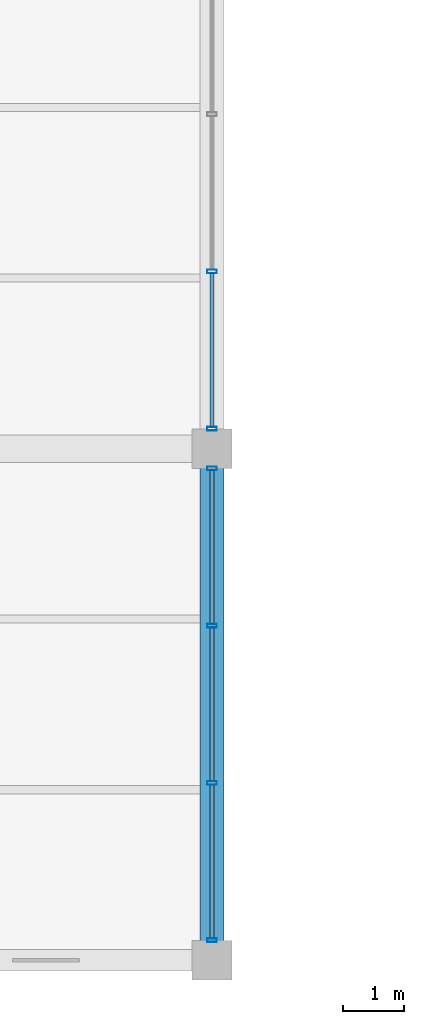
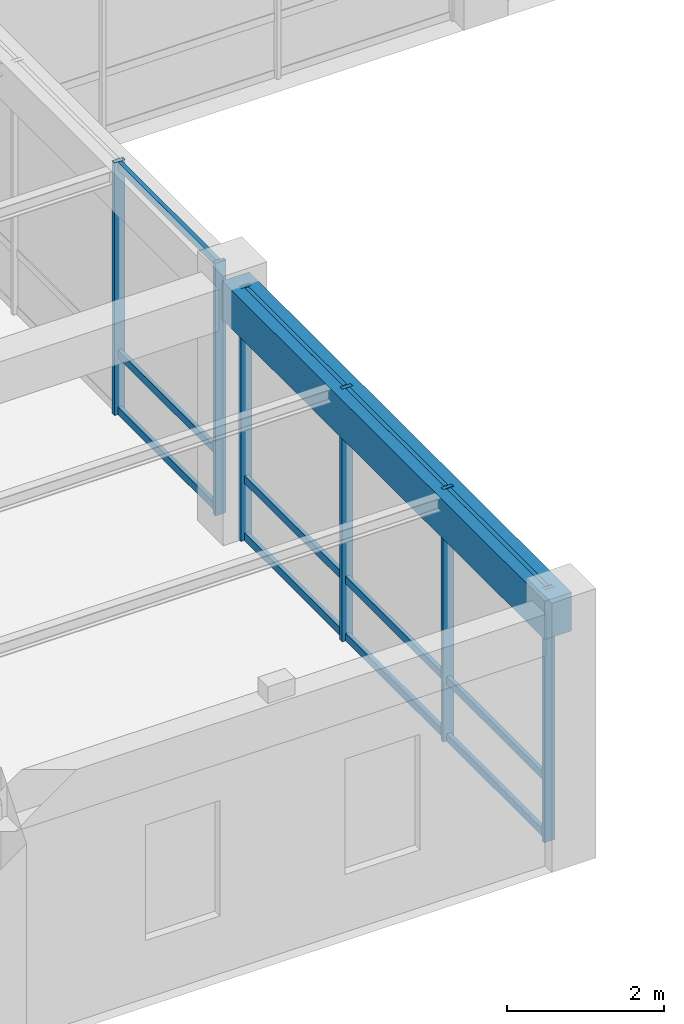
# One storey, part 10 of 138: 18 members, 1 beam, 2 elements without a shape of their own.
"""IFC4 building model written with IfcOpenShell, lengths in metres."""

from ifc_helpers import new_model, si_unit, direction, frame, origin, origin_2d, place, context, subcontext, project, spatial, rectangle, hollow_rectangle, extrude, material, material_profile, profile_set, type_object, element, aggregate, save


model = new_model("IFC4")

# Units and contexts
model_context = context("Model", 3, precision=1e-05, world=origin(), true_north=direction((0.0, 1.0)))
body_context = subcontext(model_context, "Body", "Model", "MODEL_VIEW")
ifc_project = project(units=[si_unit("LENGTHUNIT", "METRE"), si_unit("AREAUNIT", "SQUARE_METRE"), si_unit("VOLUMEUNIT", "CUBIC_METRE"), si_unit("PLANEANGLEUNIT", "RADIAN"), si_unit("MASSUNIT", "GRAM", prefix="KILO"), si_unit("THERMODYNAMICTEMPERATUREUNIT", "KELVIN"), si_unit("POWERUNIT", "WATT")], contexts=[model_context])

# Site, building, storey
site_placement = place(None, origin())
site = spatial("IfcSite", under=ifc_project, at=site_placement, CompositionType="ELEMENT")
building_placement = place(site_placement, origin())
building = spatial("IfcBuilding", under=site, at=building_placement, Name="Darbajah Civic Hall", CompositionType="ELEMENT")
storey_placement = place(building_placement, frame((0.0, 0.0, 9.60009765625)))
storey = spatial("IfcBuildingStorey", under=building, at=storey_placement, Name="L02", CompositionType="ELEMENT", Elevation=9.60009765625)

# Curtain wall, members
ifc_material_1 = material(Name="Anodised Bronze Aluminium and Low-E Glazing", Category="aluminium")
curtain_wall_type = type_object("IfcCurtainWallType", Name="Unitised Curtain Wall CW-99 7700x3950", PredefinedType="USERDEFINED", material=ifc_material_1)
curtain_wall_1_placement = place(storey_placement, origin())
curtain_wall_1 = element("IfcCurtainWall", 1, at=curtain_wall_1_placement, inside=storey, type_object=curtain_wall_type, Name="L02 unitised curtain wall CW-V5-L02-S1-B0", ObjectType="UNITISED CURTAIN WALL", PredefinedType="USERDEFINED")
ifc_material_2 = material(Name="Anodised Bronze Aluminium", Category="aluminium")
ifc_material_profile_1 = material_profile(ifc_material_2, hollow_rectangle(XDim=0.06005859375, YDim=0.159912109375, WallThickness=0.00341796875, at=origin_2d()), Name="ALU MULLION 60x160")
ifc_profile_set_1 = profile_set([ifc_material_profile_1], Name="Anodised Bronze Aluminium")
member_type_1 = type_object("IfcMemberType", Name="ALU MULLION 60x160", PredefinedType="MULLION", material=ifc_profile_set_1)
member_1_placement = place(storey_placement, frame((16.800048828125, 0.326904296875, 0.0), z_axis=(0.0, 0.0, 1.0), x_axis=(0.0, 1.0, 0.0)))
member_1 = element("IfcMember", 2, at=member_1_placement, type_object=member_type_1, Name="CW-V5-L02-S1-B0 mullion 1", PredefinedType="MULLION", context=body_context, shape_type="SweptSolid", body=[
    extrude(hollow_rectangle(XDim=0.06005859375, YDim=0.159912109375, WallThickness=0.00341796875, at=origin_2d()), origin(), (0.0, 0.0, 1.0), 3.93994140625),
])
member_2_placement = place(storey_placement, frame((16.800048828125, 2.908935546875, 0.0), z_axis=(0.0, 0.0, 1.0), x_axis=(0.0, 1.0, 0.0)))
member_2 = element("IfcMember", 3, at=member_2_placement, type_object=member_type_1, Name="CW-V5-L02-S1-B0 mullion 2", PredefinedType="MULLION", context=body_context, shape_type="SweptSolid", body=[
    extrude(hollow_rectangle(XDim=0.06005859375, YDim=0.159912109375, WallThickness=0.00341796875, at=origin_2d()), origin(), (0.0, 0.0, 1.0), 3.93994140625),
])
member_3_placement = place(storey_placement, frame((16.800048828125, 5.490966796875, 0.0), z_axis=(0.0, 0.0, 1.0), x_axis=(0.0, 1.0, 0.0)))
member_3 = element("IfcMember", 4, at=member_3_placement, type_object=member_type_1, Name="CW-V5-L02-S1-B0 mullion 3", PredefinedType="MULLION", context=body_context, shape_type="SweptSolid", body=[
    extrude(hollow_rectangle(XDim=0.06005859375, YDim=0.159912109375, WallThickness=0.00341796875, at=origin_2d()), origin(), (0.0, 0.0, 1.0), 3.93994140625),
])
member_4_placement = place(storey_placement, frame((16.800048828125, 8.072998046875, 0.0), z_axis=(0.0, 0.0, 1.0), x_axis=(0.0, 1.0, 0.0)))
member_4 = element("IfcMember", 5, at=member_4_placement, type_object=member_type_1, Name="CW-V5-L02-S1-B0 mullion 4", PredefinedType="MULLION", context=body_context, shape_type="SweptSolid", body=[
    extrude(hollow_rectangle(XDim=0.06005859375, YDim=0.159912109375, WallThickness=0.00341796875, at=origin_2d()), origin(), (0.0, 0.0, 1.0), 3.93994140625),
])

curtain_wall_2_placement = place(storey_placement, origin())
curtain_wall_2 = element("IfcCurtainWall", 6, at=curtain_wall_2_placement, inside=storey, type_object=curtain_wall_type, Name="L02 unitised curtain wall CW-V5-L02-S1-B1", ObjectType="UNITISED CURTAIN WALL", PredefinedType="USERDEFINED")
member_5_placement = place(storey_placement, frame((16.800048828125, 8.72705078125, 0.0), z_axis=(0.0, 0.0, 1.0), x_axis=(0.0, 1.0, 0.0)))
member_5 = element("IfcMember", 7, at=member_5_placement, type_object=member_type_1, Name="CW-V5-L02-S1-B1 mullion 1", PredefinedType="MULLION", context=body_context, shape_type="SweptSolid", body=[
    extrude(hollow_rectangle(XDim=0.06005859375, YDim=0.159912109375, WallThickness=0.00341796875, at=origin_2d()), origin(), (0.0, 0.0, 1.0), 3.93994140625),
])
member_6_placement = place(storey_placement, frame((16.800048828125, 11.30908203125, 0.0), z_axis=(0.0, 0.0, 1.0), x_axis=(0.0, 1.0, 0.0)))
member_6 = element("IfcMember", 8, at=member_6_placement, type_object=member_type_1, Name="CW-V5-L02-S1-B1 mullion 2", PredefinedType="MULLION", context=body_context, shape_type="SweptSolid", body=[
    extrude(hollow_rectangle(XDim=0.06005859375, YDim=0.159912109375, WallThickness=0.00341796875, at=origin_2d()), origin(), (0.0, 0.0, 1.0), 3.93994140625),
])

# Member
ifc_material_profile_2 = material_profile(ifc_material_2, hollow_rectangle(XDim=0.06005859375, YDim=0.1201171875, WallThickness=0.003173828125, at=origin_2d()), Name="ALU TRANSOM 60x120")
ifc_profile_set_2 = profile_set([ifc_material_profile_2], Name="Anodised Bronze Aluminium")
member_type_2 = type_object("IfcMemberType", Name="ALU TRANSOM 60x120", PredefinedType="USERDEFINED", material=ifc_profile_set_2)
member_7_placement = place(storey_placement, frame((16.800048828125, 0.362060546875, 0.059814453125), z_axis=(0.0, 1.0, 0.0), x_axis=(-1.0, 0.0, 0.0)))
member_7 = element("IfcMember", 9, at=member_7_placement, type_object=member_type_2, Name="CW-V5-L02-S1-B0 transom 1.1", ObjectType="TRANSOM", PredefinedType="USERDEFINED", context=body_context, shape_type="SweptSolid", body=[
    extrude(hollow_rectangle(XDim=0.06005859375, YDim=0.1201171875, WallThickness=0.003173828125, at=origin_2d()), origin(), (0.0, 0.0, 1.0), 2.511962890625),
])

member_8_placement = place(storey_placement, frame((16.800048828125, 0.362060546875, 0.949951171875), z_axis=(0.0, 1.0, 0.0), x_axis=(-1.0, 0.0, 0.0)))
member_8 = element("IfcMember", 10, at=member_8_placement, type_object=member_type_2, Name="CW-V5-L02-S1-B0 transom 1.2", ObjectType="TRANSOM", PredefinedType="USERDEFINED", context=body_context, shape_type="SweptSolid", body=[
    extrude(hollow_rectangle(XDim=0.06005859375, YDim=0.1201171875, WallThickness=0.003173828125, at=origin_2d()), origin(), (0.0, 0.0, 1.0), 2.511962890625),
])

member_9_placement = place(storey_placement, frame((16.800048828125, 0.362060546875, 3.8798828125), z_axis=(0.0, 1.0, 0.0), x_axis=(-1.0, 0.0, 0.0)))
member_9 = element("IfcMember", 11, at=member_9_placement, type_object=member_type_2, Name="CW-V5-L02-S1-B0 transom 1.3", ObjectType="TRANSOM", PredefinedType="USERDEFINED", context=body_context, shape_type="SweptSolid", body=[
    extrude(hollow_rectangle(XDim=0.06005859375, YDim=0.1201171875, WallThickness=0.003173828125, at=origin_2d()), origin(), (0.0, 0.0, 1.0), 2.511962890625),
])

member_10_placement = place(storey_placement, frame((16.800048828125, 2.944091796875, 0.059814453125), z_axis=(0.0, 1.0, 0.0), x_axis=(-1.0, 0.0, 0.0)))
member_10 = element("IfcMember", 12, at=member_10_placement, type_object=member_type_2, Name="CW-V5-L02-S1-B0 transom 2.1", ObjectType="TRANSOM", PredefinedType="USERDEFINED", context=body_context, shape_type="SweptSolid", body=[
    extrude(hollow_rectangle(XDim=0.06005859375, YDim=0.1201171875, WallThickness=0.003173828125, at=origin_2d()), origin(), (0.0, 0.0, 1.0), 2.511962890625),
])

member_11_placement = place(storey_placement, frame((16.800048828125, 2.944091796875, 0.949951171875), z_axis=(0.0, 1.0, 0.0), x_axis=(-1.0, 0.0, 0.0)))
member_11 = element("IfcMember", 13, at=member_11_placement, type_object=member_type_2, Name="CW-V5-L02-S1-B0 transom 2.2", ObjectType="TRANSOM", PredefinedType="USERDEFINED", context=body_context, shape_type="SweptSolid", body=[
    extrude(hollow_rectangle(XDim=0.06005859375, YDim=0.1201171875, WallThickness=0.003173828125, at=origin_2d()), origin(), (0.0, 0.0, 1.0), 2.511962890625),
])

member_12_placement = place(storey_placement, frame((16.800048828125, 2.944091796875, 3.8798828125), z_axis=(0.0, 1.0, 0.0), x_axis=(-1.0, 0.0, 0.0)))
member_12 = element("IfcMember", 14, at=member_12_placement, type_object=member_type_2, Name="CW-V5-L02-S1-B0 transom 2.3", ObjectType="TRANSOM", PredefinedType="USERDEFINED", context=body_context, shape_type="SweptSolid", body=[
    extrude(hollow_rectangle(XDim=0.06005859375, YDim=0.1201171875, WallThickness=0.003173828125, at=origin_2d()), origin(), (0.0, 0.0, 1.0), 2.511962890625),
])

member_13_placement = place(storey_placement, frame((16.800048828125, 5.52587890625, 0.059814453125), z_axis=(0.0, 1.0, 0.0), x_axis=(-1.0, 0.0, 0.0)))
member_13 = element("IfcMember", 15, at=member_13_placement, type_object=member_type_2, Name="CW-V5-L02-S1-B0 transom 3.1", ObjectType="TRANSOM", PredefinedType="USERDEFINED", context=body_context, shape_type="SweptSolid", body=[
    extrude(hollow_rectangle(XDim=0.06005859375, YDim=0.1201171875, WallThickness=0.003173828125, at=origin_2d()), origin(), (0.0, 0.0, 1.0), 2.51220703125),
])

member_14_placement = place(storey_placement, frame((16.800048828125, 5.52587890625, 0.949951171875), z_axis=(0.0, 1.0, 0.0), x_axis=(-1.0, 0.0, 0.0)))
member_14 = element("IfcMember", 16, at=member_14_placement, type_object=member_type_2, Name="CW-V5-L02-S1-B0 transom 3.2", ObjectType="TRANSOM", PredefinedType="USERDEFINED", context=body_context, shape_type="SweptSolid", body=[
    extrude(hollow_rectangle(XDim=0.06005859375, YDim=0.1201171875, WallThickness=0.003173828125, at=origin_2d()), origin(), (0.0, 0.0, 1.0), 2.51220703125),
])

member_15_placement = place(storey_placement, frame((16.800048828125, 5.52587890625, 3.8798828125), z_axis=(0.0, 1.0, 0.0), x_axis=(-1.0, 0.0, 0.0)))
member_15 = element("IfcMember", 17, at=member_15_placement, type_object=member_type_2, Name="CW-V5-L02-S1-B0 transom 3.3", ObjectType="TRANSOM", PredefinedType="USERDEFINED", context=body_context, shape_type="SweptSolid", body=[
    extrude(hollow_rectangle(XDim=0.06005859375, YDim=0.1201171875, WallThickness=0.003173828125, at=origin_2d()), origin(), (0.0, 0.0, 1.0), 2.51220703125),
])

aggregate(curtain_wall_1, [member_1, member_2, member_3, member_4, member_7, member_8, member_9, member_10, member_11, member_12, member_13, member_14, member_15])

member_16_placement = place(storey_placement, frame((16.800048828125, 8.761962890625, 0.059814453125), z_axis=(0.0, 1.0, 0.0), x_axis=(-1.0, 0.0, 0.0)))
member_16 = element("IfcMember", 18, at=member_16_placement, type_object=member_type_2, Name="CW-V5-L02-S1-B1 transom 1.1", ObjectType="TRANSOM", PredefinedType="USERDEFINED", context=body_context, shape_type="SweptSolid", body=[
    extrude(hollow_rectangle(XDim=0.06005859375, YDim=0.1201171875, WallThickness=0.003173828125, at=origin_2d()), origin(), (0.0, 0.0, 1.0), 2.511962890625),
])

member_17_placement = place(storey_placement, frame((16.800048828125, 8.761962890625, 0.949951171875), z_axis=(0.0, 1.0, 0.0), x_axis=(-1.0, 0.0, 0.0)))
member_17 = element("IfcMember", 19, at=member_17_placement, type_object=member_type_2, Name="CW-V5-L02-S1-B1 transom 1.2", ObjectType="TRANSOM", PredefinedType="USERDEFINED", context=body_context, shape_type="SweptSolid", body=[
    extrude(hollow_rectangle(XDim=0.06005859375, YDim=0.1201171875, WallThickness=0.003173828125, at=origin_2d()), origin(), (0.0, 0.0, 1.0), 2.511962890625),
])

member_18_placement = place(storey_placement, frame((16.800048828125, 8.761962890625, 3.8798828125), z_axis=(0.0, 1.0, 0.0), x_axis=(-1.0, 0.0, 0.0)))
member_18 = element("IfcMember", 20, at=member_18_placement, type_object=member_type_2, Name="CW-V5-L02-S1-B1 transom 1.3", ObjectType="TRANSOM", PredefinedType="USERDEFINED", context=body_context, shape_type="SweptSolid", body=[
    extrude(hollow_rectangle(XDim=0.06005859375, YDim=0.1201171875, WallThickness=0.003173828125, at=origin_2d()), origin(), (0.0, 0.0, 1.0), 2.511962890625),
])

aggregate(curtain_wall_2, [member_5, member_6, member_16, member_17, member_18])

# Beam
ifc_material_3 = material(Name="Concrete C45/55", Category="concrete")
ifc_material_profile_3 = material_profile(ifc_material_3, rectangle(XDim=0.39990234375, YDim=0.60009765625, at=origin_2d()), Name="RC BEAM 400x600")
ifc_profile_set_3 = profile_set([ifc_material_profile_3], Name="Concrete C45/55")
beam_type = type_object("IfcBeamType", Name="RC BEAM 400x600", PredefinedType="BEAM", material=ifc_profile_set_3)
beam_placement = place(storey_placement, frame((16.800048828125, 0.080078125, 3.639892578125), z_axis=(0.0, 1.0, 0.0), x_axis=(-1.0, 0.0, 0.0)))
element("IfcBeam", 21, at=beam_placement, inside=storey, type_object=beam_type, Name="L02 beam BM-4060", PredefinedType="BEAM", context=body_context, shape_type="SweptSolid", body=[
    extrude(rectangle(XDim=0.39990234375, YDim=0.60009765625, at=origin_2d()), origin(), (0.0, 0.0, 1.0), 8.239990234375),
])

save(model, "model.ifc")
